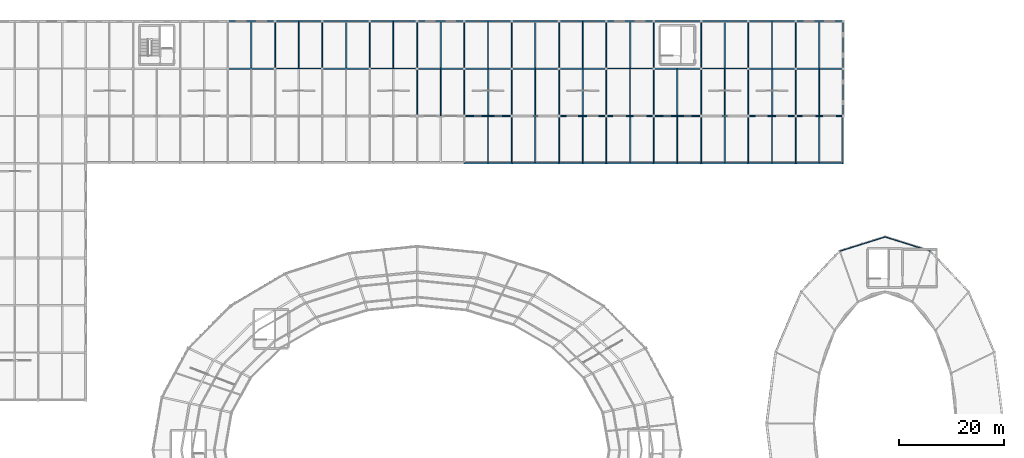
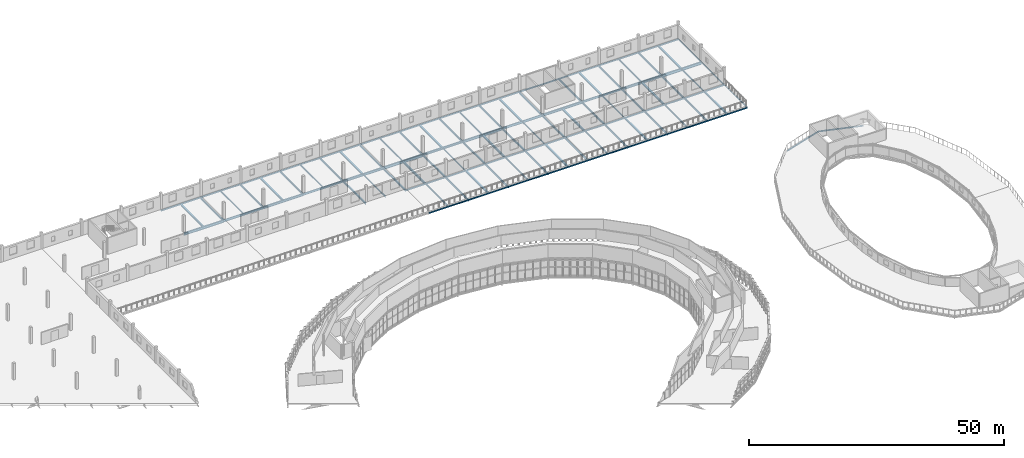
# One storey, part 75 of 123: 104 beams.
"""IFC4 building model written with IfcOpenShell, lengths in metres."""

import ifcopenshell
import ifcopenshell.guid

model = None  # the IFC model being written
_history = None  # IfcOwnerHistory: only IFC2X3 demands one
_inside = {}  # id of a spatial element -> (the spatial element, [elements in it])
_under = {}  # id of a project, library or spatial element -> (it, [spatial elements below it])
_declared = {}  # id of a project -> (the project, [libraries it declares])
_typed = {}  # id of a type object -> (the type object, [elements of that type])
_made_of = {}  # id of a material, layer set ... -> (it, [elements and type objects made of it])


def new_model(schema):
    """Start an empty IFC model of exactly this schema.

    Asked for "IFC4X3", IfcOpenShell would pick the latest addendum, in which some entities
    have other attributes; the version numbers below select the first issue.
    IFC2X3 requires an IfcOwnerHistory on every rooted entity: one is made here for all.
    """
    global model, _history
    if schema == "IFC4X3":
        model = ifcopenshell.file(schema_version=(4, 3, 0, 0))
    else:
        model = ifcopenshell.file(schema=schema)
    _inside.clear()
    _under.clear()
    _declared.clear()
    _typed.clear()
    _made_of.clear()
    _history = None
    if model.schema == "IFC2X3":
        org = make("IfcOrganization", Name="unknown")
        user = make(
            "IfcPersonAndOrganization",
            ThePerson=make("IfcPerson", FamilyName="unknown"),
            TheOrganization=org,
        )
        app = make(
            "IfcApplication",
            ApplicationDeveloper=org,
            Version="unknown",
            ApplicationFullName="unknown",
            ApplicationIdentifier="unknown",
        )
        _history = make(
            "IfcOwnerHistory",
            OwningUser=user,
            OwningApplication=app,
            ChangeAction="ADDED",
            CreationDate=0,
        )
    return model


def make(cls, **values):
    """One entity of the class cls with the attributes given. An attribute that is None is left unset."""
    return model.create_entity(
        cls, **{name: value for name, value in values.items() if value is not None}
    )


def rooted(cls, **values):
    """An entity with a GlobalId (a new one), such as an element, a storey or a relation."""
    return make(cls, GlobalId=ifcopenshell.guid.new(), OwnerHistory=_history, **values)


def si_unit(unit_type, name, prefix=None):
    """IfcSIUnit, for example si_unit("LENGTHUNIT", "METRE", prefix="MILLI")."""
    return make("IfcSIUnit", UnitType=unit_type, Prefix=prefix, Name=name)


def assignment(units):
    """IfcUnitAssignment: the units of a project."""
    return None if units is None else make("IfcUnitAssignment", Units=units)


def point(xyz):
    """IfcCartesianPoint."""
    return None if xyz is None else make("IfcCartesianPoint", Coordinates=xyz)


def direction(xyz):
    """IfcDirection."""
    return None if xyz is None else make("IfcDirection", DirectionRatios=xyz)


def frame(location, z_axis=None, x_axis=None):
    """IfcAxis2Placement3D, a coordinate frame: its origin and axes. An axis left out is left unset."""
    return make(
        "IfcAxis2Placement3D",
        Location=point(location),
        Axis=direction(z_axis),
        RefDirection=direction(x_axis),
    )


def frame_2d(location, x_axis=None):
    """IfcAxis2Placement2D, a coordinate frame in the plane: its origin and x axis."""
    return make(
        "IfcAxis2Placement2D", Location=point(location), RefDirection=direction(x_axis)
    )


def origin():
    """The frame at (0, 0, 0) with its axes left unset."""
    return frame((0.0, 0.0, 0.0))


def origin_2d():
    """The frame at (0, 0) in the plane with its x axis left unset."""
    return frame_2d((0.0, 0.0))


def place(relative_to, where):
    """IfcLocalPlacement: puts the frame where relative to a parent placement (None: the world)."""
    return make(
        "IfcLocalPlacement", PlacementRelTo=relative_to, RelativePlacement=where
    )


def context(
    kind, dimensions, precision=None, world=None, true_north=None, identifier=None
):
    """IfcGeometricRepresentationContext, for example the 3D "Model" context."""
    return make(
        "IfcGeometricRepresentationContext",
        ContextIdentifier=identifier,
        ContextType=kind,
        CoordinateSpaceDimension=dimensions,
        Precision=precision,
        WorldCoordinateSystem=world,
        TrueNorth=true_north,
    )


def subcontext(parent, identifier, kind, view, scale=None):
    """IfcGeometricRepresentationSubContext, for example "Body" below "Model"."""
    return make(
        "IfcGeometricRepresentationSubContext",
        ContextIdentifier=identifier,
        ContextType=kind,
        ParentContext=parent,
        TargetScale=scale,
        TargetView=view,
    )


def project(units=None, contexts=None):
    """IfcProject with its units and contexts."""
    return rooted(
        "IfcProject",
        Name="project",
        RepresentationContexts=contexts,
        UnitsInContext=assignment(units),
    )


def spatial(cls, under=None, at=None, **own):
    """A site, building, storey or space (cls), placed at a placement, below another one or the project."""
    s = rooted(cls, ObjectPlacement=at, **own)
    if under is not None:
        _under.setdefault(under.id(), (under, []))[1].append(s)
    return s


def profile(cls, at=None, kind="AREA", **sizes):
    """A parametric profile (cls). Its sizes go by their IFC names, for example OverallWidth=200.0."""
    return make(cls, ProfileType=kind, Position=at, **sizes)


def hollow_rectangle(**sizes):
    """IfcRectangleHollowProfileDef."""
    return profile("IfcRectangleHollowProfileDef", **sizes)


def i_section(**sizes):
    """IfcIShapeProfileDef."""
    return profile("IfcIShapeProfileDef", **sizes)


def extrude(swept, where, along, depth):
    """IfcExtrudedAreaSolid: the profile swept, set in the frame where, extruded along a direction by depth."""
    return make(
        "IfcExtrudedAreaSolid",
        SweptArea=swept,
        Position=where,
        ExtrudedDirection=direction(along),
        Depth=depth,
    )


def shape(context_of_items, identifier, shape_type, items):
    """IfcShapeRepresentation: the items that make up one representation, for example the "Body"."""
    return make(
        "IfcShapeRepresentation",
        ContextOfItems=context_of_items,
        RepresentationIdentifier=identifier,
        RepresentationType=shape_type,
        Items=items,
    )


def material(Name=None, Category=None):
    """IfcMaterial."""
    return make("IfcMaterial", Name=Name, Category=Category)


def material_profile(
    of_material, cross_section, Name=None, Category=None, Priority=None
):
    """IfcMaterialProfile: a cross section and its material."""
    return make(
        "IfcMaterialProfile",
        Name=Name,
        Material=of_material,
        Profile=cross_section,
        Priority=Priority,
        Category=Category,
    )


def profile_set(profiles, Name=None, composite=None):
    """IfcMaterialProfileSet."""
    return make(
        "IfcMaterialProfileSet",
        Name=Name,
        MaterialProfiles=profiles,
        CompositeProfile=composite,
    )


def made_of(thing, what):
    """Note that an element or type object is made of a material, layer set ...; save() writes the relation."""
    if what is not None:
        _made_of.setdefault(what.id(), (what, []))[1].append(thing)
    return thing


def type_object(cls, material=None, **own):
    """A type object (cls), such as IfcWallType, which elements share."""
    return made_of(rooted(cls, **own), material)


def element(
    cls,
    number,
    at=None,
    inside=None,
    cuts=None,
    type_object=None,
    material=None,
    context=None,
    identifier="Body",
    shape_type=None,
    held_by="IfcProductDefinitionShape",
    body=None,
    shapes=None,
    **own,
):
    """One element of the class cls, such as IfcWall. Its Tag is "e" and its number.

    at: its placement. inside: the storey or other place that contains it. cuts: it is an
    opening in that element (IfcRelVoidsElement). A single representation is given by context,
    identifier, shape_type and body (its items); several are given by shapes. held_by: the class
    of the entity that holds the representations. save() writes the other relations.
    """
    e = rooted(cls, Tag="e%d" % number, ObjectPlacement=at, **own)
    if body is not None:
        shapes = [shape(context, identifier, shape_type, body)]
    if shapes is not None:
        e.Representation = make(held_by, Representations=shapes)
    if inside is not None:
        _inside.setdefault(inside.id(), (inside, []))[1].append(e)
    if cuts is not None:
        rooted(
            "IfcRelVoidsElement", RelatingBuildingElement=cuts, RelatedOpeningElement=e
        )
    if type_object is not None:
        _typed.setdefault(type_object.id(), (type_object, []))[1].append(e)
    return made_of(e, material)


def aggregate(whole, parts):
    """IfcRelAggregates: a whole, such as a stair, and the parts it consists of."""
    return rooted("IfcRelAggregates", RelatingObject=whole, RelatedObjects=parts)


def save(model, path):
    """Write the relations noted so far, then the file.

    IfcRelAggregates (storeys below a building ...), IfcRelContainedInSpatialStructure (elements
    in a storey), IfcRelDefinesByType, IfcRelAssociatesMaterial and IfcRelDeclares: one each for
    every whole, place, type object, material and project.
    """
    for whole, parts in _under.values():
        aggregate(whole, parts)
    for where, things in _inside.values():
        rooted(
            "IfcRelContainedInSpatialStructure",
            RelatedElements=things,
            RelatingStructure=where,
        )
    for kind, things in _typed.values():
        rooted("IfcRelDefinesByType", RelatedObjects=things, RelatingType=kind)
    for what, things in _made_of.values():
        rooted("IfcRelAssociatesMaterial", RelatedObjects=things, RelatingMaterial=what)
    for by, libraries in _declared.values():
        rooted("IfcRelDeclares", RelatingContext=by, RelatedDefinitions=libraries)
    model.write(path)


model = new_model("IFC4")

# Units and contexts
model_context = context("Model", 3, precision=1e-05, world=origin(), true_north=direction((0.0, 1.0)))
body_context = subcontext(model_context, "Body", "Model", "MODEL_VIEW")
ifc_project = project(units=[si_unit("LENGTHUNIT", "METRE"), si_unit("AREAUNIT", "SQUARE_METRE"), si_unit("VOLUMEUNIT", "CUBIC_METRE"), si_unit("PLANEANGLEUNIT", "RADIAN"), si_unit("MASSUNIT", "GRAM", prefix="KILO")], contexts=[model_context])

# Site, building, storey
site_placement = place(None, origin())
site = spatial("IfcSite", under=ifc_project, at=site_placement, CompositionType="ELEMENT")
building_placement = place(site_placement, origin())
building = spatial("IfcBuilding", under=site, at=building_placement, Name="Kildeholm Park Wholesale Market", CompositionType="ELEMENT")
storey_placement = place(building_placement, frame((0.0, 0.0, 9.60009765625)))
storey = spatial("IfcBuildingStorey", under=building, at=storey_placement, Name="L02", CompositionType="ELEMENT", Elevation=9.60009765625)

# Beams
ifc_material = material(Name="Steel S355", Category="steel")
ifc_material_profile_1 = material_profile(ifc_material, i_section(OverallWidth=0.18994140625, OverallDepth=0.449951171875, WebThickness=0.009521484375, FlangeThickness=0.0146484375, FilletRadius=0.02099609375, at=origin_2d()), Name="IPE 450")
ifc_profile_set_1 = profile_set([ifc_material_profile_1], Name="Steel S355")
beam_type_1 = type_object("IfcBeamType", Name="Beam B-P02 IPE 450", PredefinedType="BEAM", material=ifc_profile_set_1)
for number, where, z_axis, x_axis, name in (
    (1, (72.0, 162.0, -0.545166015625), (0.0, 1.0, 0.0), (-1.0, 0.0, 0.0), "Beam BM-V4-L02-Y-072-162 BM-0816"),
    (2, (81.0, 162.0, -0.545166015625), (0.0, 1.0, 0.0), (-1.0, 0.0, 0.0), "Beam BM-V4-L02-Y-081-162 BM-0823"),
    (3, (90.0, 162.0, -0.545166015625), (0.0, 1.0, 0.0), (-1.0, 0.0, 0.0), "Beam BM-V4-L02-Y-090-162 BM-0830"),
    (4, (99.0, 153.0, -0.545166015625), (0.0, 1.0, 0.0), (-1.0, 0.0, 0.0), "Beam BM-V4-L02-Y-099-153 BM-0834"),
    (5, (99.0, 162.0, -0.545166015625), (0.0, 1.0, 0.0), (-1.0, 0.0, 0.0), "Beam BM-V4-L02-Y-099-162 BM-0837"),
    (6, (108.0, 153.0, -0.545166015625), (0.0, 1.0, 0.0), (-1.0, 0.0, 0.0), "Beam BM-V4-L02-Y-108-153 BM-0841"),
    (7, (108.0, 162.0, -0.545166015625), (0.0, 1.0, 0.0), (-1.0, 0.0, 0.0), "Beam BM-V4-L02-Y-108-162 BM-0844"),
    (8, (117.0, 153.0, -0.545166015625), (0.0, 1.0, 0.0), (-1.0, 0.0, 0.0), "Beam BM-V4-L02-Y-117-153 BM-0848"),
    (9, (117.0, 162.0, -0.545166015625), (0.0, 1.0, 0.0), (-1.0, 0.0, 0.0), "Beam BM-V4-L02-Y-117-162 BM-0851"),
    (10, (126.0, 153.0, -0.545166015625), (0.0, 1.0, 0.0), (-1.0, 0.0, 0.0), "Beam BM-V4-L02-Y-126-153 BM-0855"),
    (11, (126.0, 162.0, -0.545166015625), (0.0, 1.0, 0.0), (-1.0, 0.0, 0.0), "Beam BM-V4-L02-Y-126-162 BM-0858"),
    (12, (135.0, 153.0, -0.545166015625), (0.0, 1.0, 0.0), (-1.0, 0.0, 0.0), "Beam BM-V4-L02-Y-135-153 BM-0862"),
    (13, (135.0, 162.0, -0.545166015625), (0.0, 1.0, 0.0), (-1.0, 0.0, 0.0), "Beam BM-V4-L02-Y-135-162 BM-0865"),
    (14, (144.0, 153.0, -0.545166015625), (0.0, 1.0, 0.0), (-1.0, 0.0, 0.0), "Beam BM-V4-L02-Y-144-153 BM-0869"),
    (15, (144.0, 162.0, -0.545166015625), (0.0, 1.0, 0.0), (-1.0, 0.0, 0.0), "Beam BM-V4-L02-Y-144-162 BM-0872"),
    (16, (153.0, 153.0, -0.545166015625), (0.0, 1.0, 0.0), (-1.0, 0.0, 0.0), "Beam BM-V4-L02-Y-153-153 BM-0875"),
    (17, (153.0, 162.0, -0.545166015625), (0.0, 1.0, 0.0), (-1.0, 0.0, 0.0), "Beam BM-V4-L02-Y-153-162 BM-0878"),
    (18, (162.0, 153.0, -0.545166015625), (0.0, 1.0, 0.0), (-1.0, 0.0, 0.0), "Beam BM-V4-L02-Y-162-153 BM-0882"),
    (19, (162.0, 162.0, -0.545166015625), (0.0, 1.0, 0.0), (-1.0, 0.0, 0.0), "Beam BM-V4-L02-Y-162-162 BM-0885"),
    (20, (171.0, 153.0, -0.545166015625), (0.0, 1.0, 0.0), (-1.0, 0.0, 0.0), "Beam BM-V4-L02-Y-171-153 BM-0889"),
    (21, (171.0, 162.0, -0.545166015625), (0.0, 1.0, 0.0), (-1.0, 0.0, 0.0), "Beam BM-V4-L02-Y-171-162 BM-0892"),
    (22, (117.0, 144.0, -0.51513671875), (0.0, 1.0, 0.0), (-1.0, 0.0, 0.0), "Beam BM-V4-L02-Y-117-144 BM-1029"),
    (23, (126.0, 144.0, -0.51513671875), (0.0, 1.0, 0.0), (-1.0, 0.0, 0.0), "Beam BM-V4-L02-Y-126-144 BM-1032"),
    (24, (135.0, 144.0, -0.51513671875), (0.0, 1.0, 0.0), (-1.0, 0.0, 0.0), "Beam BM-V4-L02-Y-135-144 BM-1035"),
    (25, (144.0, 144.0, -0.51513671875), (0.0, 1.0, 0.0), (-1.0, 0.0, 0.0), "Beam BM-V4-L02-Y-144-144 BM-1038"),
    (26, (153.0, 144.0, -0.51513671875), (0.0, 1.0, 0.0), (-1.0, 0.0, 0.0), "Beam BM-V4-L02-Y-153-144 BM-1041"),
    (27, (162.0, 144.0, -0.51513671875), (0.0, 1.0, 0.0), (-1.0, 0.0, 0.0), "Beam BM-V4-L02-Y-162-144 BM-1044"),
    (28, (171.0, 144.0, -0.51513671875), (0.0, 1.0, 0.0), (-1.0, 0.0, 0.0), "Beam BM-V4-L02-Y-171-144 BM-1047"),
):
    element("IfcBeam", number, at=place(storey_placement, frame(where, z_axis=z_axis, x_axis=x_axis)), inside=storey, type_object=beam_type_1, Name=name, PredefinedType="BEAM", context=body_context, shape_type="SweptSolid", body=[
        extrude(i_section(OverallWidth=0.18994140625, OverallDepth=0.449951171875, WebThickness=0.009521484375, FlangeThickness=0.0146484375, FilletRadius=0.02099609375, at=origin_2d()), origin(), (0.0, 0.0, 1.0), 9.0),
    ])
ifc_material_profile_2 = material_profile(ifc_material, i_section(OverallWidth=0.199951171875, OverallDepth=0.5, WebThickness=0.01025390625, FlangeThickness=0.01611328125, FilletRadius=0.02099609375, at=origin_2d()), Name="IPE 500")
ifc_profile_set_2 = profile_set([ifc_material_profile_2], Name="Steel S355")
beam_type_2 = type_object("IfcBeamType", Name="Beam B-P03 IPE 500", PredefinedType="BEAM", material=ifc_profile_set_2)
for number, where, z_axis, x_axis, name in (
    (29, (90.0, 162.0, -0.570068359375), (1.0, 0.0, 0.0), (0.0, 1.0, 0.0), "Beam BM-V4-L02-X-090-162 BM-0829"),
    (30, (153.0, 162.0, -0.570068359375), (1.0, 0.0, 0.0), (0.0, 1.0, 0.0), "Beam BM-V4-L02-X-153-162 BM-0877"),
):
    element("IfcBeam", number, at=place(storey_placement, frame(where, z_axis=z_axis, x_axis=x_axis)), inside=storey, type_object=beam_type_2, Name=name, PredefinedType="BEAM", context=body_context, shape_type="SweptSolid", body=[
        extrude(i_section(OverallWidth=0.199951171875, OverallDepth=0.5, WebThickness=0.01025390625, FlangeThickness=0.01611328125, FilletRadius=0.02099609375, at=origin_2d()), origin(), (0.0, 0.0, 1.0), 9.0),
    ])
ifc_material_profile_3 = material_profile(ifc_material, i_section(OverallWidth=0.2099609375, OverallDepth=0.550048828125, WebThickness=0.010986328125, FlangeThickness=0.01708984375, FilletRadius=0.02392578125, at=origin_2d()), Name="IPE 550")
ifc_profile_set_3 = profile_set([ifc_material_profile_3], Name="Steel S355")
beam_type_3 = type_object("IfcBeamType", Name="Beam B-X01 IPE 550", PredefinedType="BEAM", material=ifc_profile_set_3)
for number, where, z_axis, x_axis, name in (
    (31, (72.0, 162.0, -0.59912109375), (1.0, 0.0, 0.0), (0.0, 1.0, 0.0), "Beam BM-V4-L02-X-072-162 BM-0815"),
    (32, (135.0, 162.0, -0.59912109375), (1.0, 0.0, 0.0), (0.0, 1.0, 0.0), "Beam BM-V4-L02-X-135-162 BM-0864"),
):
    element("IfcBeam", number, at=place(storey_placement, frame(where, z_axis=z_axis, x_axis=x_axis)), inside=storey, type_object=beam_type_3, Name=name, PredefinedType="BEAM", context=body_context, shape_type="SweptSolid", body=[
        extrude(i_section(OverallWidth=0.2099609375, OverallDepth=0.550048828125, WebThickness=0.010986328125, FlangeThickness=0.01708984375, FilletRadius=0.02392578125, at=origin_2d()), origin(), (0.0, 0.0, 1.0), 9.0),
    ])
ifc_material_profile_4 = material_profile(ifc_material, i_section(OverallWidth=0.300048828125, OverallDepth=0.5400390625, WebThickness=0.012451171875, FlangeThickness=0.02392578125, FilletRadius=0.027099609375, at=origin_2d()), Name="HEA 550")
ifc_profile_set_4 = profile_set([ifc_material_profile_4], Name="Steel S355")
beam_type_4 = type_object("IfcBeamType", Name="Beam B-X02 HEA 550", PredefinedType="BEAM", material=ifc_profile_set_4)
for number, where, z_axis, x_axis, name in (
    (33, (81.0, 162.0, -0.590087890625), (1.0, 0.0, 0.0), (0.0, 1.0, 0.0), "Beam BM-V4-L02-X-081-162 BM-0822"),
    (34, (144.0, 162.0, -0.590087890625), (1.0, 0.0, 0.0), (0.0, 1.0, 0.0), "Beam BM-V4-L02-X-144-162 BM-0871"),
):
    element("IfcBeam", number, at=place(storey_placement, frame(where, z_axis=z_axis, x_axis=x_axis)), inside=storey, type_object=beam_type_4, Name=name, PredefinedType="BEAM", context=body_context, shape_type="SweptSolid", body=[
        extrude(i_section(OverallWidth=0.300048828125, OverallDepth=0.5400390625, WebThickness=0.012451171875, FlangeThickness=0.02392578125, FilletRadius=0.027099609375, at=origin_2d()), origin(), (0.0, 0.0, 1.0), 9.0),
    ])
ifc_material_profile_5 = material_profile(ifc_material, i_section(OverallWidth=0.300048828125, OverallDepth=0.550048828125, WebThickness=0.014892578125, FlangeThickness=0.029052734375, FilletRadius=0.027099609375, at=origin_2d()), Name="HEB 550")
ifc_profile_set_5 = profile_set([ifc_material_profile_5], Name="Steel S355")
beam_type_5 = type_object("IfcBeamType", Name="Beam B-X03 HEB 550", PredefinedType="BEAM", material=ifc_profile_set_5)
for number, where, z_axis, x_axis, name in (
    (35, (99.0, 162.0, -0.59912109375), (1.0, 0.0, 0.0), (0.0, 1.0, 0.0), "Beam BM-V4-L02-X-099-162 BM-0836"),
    (36, (162.0, 162.0, -0.59912109375), (1.0, 0.0, 0.0), (0.0, 1.0, 0.0), "Beam BM-V4-L02-X-162-162 BM-0884"),
):
    element("IfcBeam", number, at=place(storey_placement, frame(where, z_axis=z_axis, x_axis=x_axis)), inside=storey, type_object=beam_type_5, Name=name, PredefinedType="BEAM", context=body_context, shape_type="SweptSolid", body=[
        extrude(i_section(OverallWidth=0.300048828125, OverallDepth=0.550048828125, WebThickness=0.014892578125, FlangeThickness=0.029052734375, FilletRadius=0.027099609375, at=origin_2d()), origin(), (0.0, 0.0, 1.0), 9.0),
    ])
ifc_material_profile_6 = material_profile(ifc_material, i_section(OverallWidth=0.300048828125, OverallDepth=0.64990234375, WebThickness=0.01611328125, FlangeThickness=0.031005859375, FilletRadius=0.027099609375, at=origin_2d()), Name="HEB 650")
ifc_profile_set_6 = profile_set([ifc_material_profile_6], Name="Steel S355")
beam_type_6 = type_object("IfcBeamType", Name="Beam B-X04 HEB 650", PredefinedType="BEAM", material=ifc_profile_set_6)
for number, where, z_axis, x_axis, name in (
    (37, (108.0, 162.0, -0.64501953125), (1.0, 0.0, 0.0), (0.0, 1.0, 0.0), "Beam BM-V4-L02-X-108-162 BM-0843"),
    (38, (171.0, 162.0, -0.64501953125), (1.0, 0.0, 0.0), (0.0, 1.0, 0.0), "Beam BM-V4-L02-X-171-162 BM-0891"),
):
    element("IfcBeam", number, at=place(storey_placement, frame(where, z_axis=z_axis, x_axis=x_axis)), inside=storey, type_object=beam_type_6, Name=name, PredefinedType="BEAM", context=body_context, shape_type="SweptSolid", body=[
        extrude(i_section(OverallWidth=0.300048828125, OverallDepth=0.64990234375, WebThickness=0.01611328125, FlangeThickness=0.031005859375, FilletRadius=0.027099609375, at=origin_2d()), origin(), (0.0, 0.0, 1.0), 9.0),
    ])
ifc_material_profile_7 = material_profile(ifc_material, i_section(OverallWidth=0.300048828125, OverallDepth=0.5, WebThickness=0.014404296875, FlangeThickness=0.028076171875, FilletRadius=0.027099609375, at=origin_2d()), Name="HEB 500")
ifc_profile_set_7 = profile_set([ifc_material_profile_7], Name="Steel S355")
beam_type_7 = type_object("IfcBeamType", Name="Beam B-X05 HEB 500", PredefinedType="BEAM", material=ifc_profile_set_7)
beam_placement = place(storey_placement, frame((117.0, 162.0, -0.570068359375), z_axis=(1.0, 0.0, 0.0), x_axis=(0.0, 1.0, 0.0)))
element("IfcBeam", 39, at=beam_placement, inside=storey, type_object=beam_type_7, Name="Beam BM-V4-L02-X-117-162 BM-0850", PredefinedType="BEAM", context=body_context, shape_type="SweptSolid", body=[
    extrude(i_section(OverallWidth=0.300048828125, OverallDepth=0.5, WebThickness=0.014404296875, FlangeThickness=0.028076171875, FilletRadius=0.027099609375, at=origin_2d()), origin(), (0.0, 0.0, 1.0), 9.0),
])
ifc_material_profile_8 = material_profile(ifc_material, i_section(OverallWidth=0.300048828125, OverallDepth=0.60009765625, WebThickness=0.015380859375, FlangeThickness=0.030029296875, FilletRadius=0.027099609375, at=origin_2d()), Name="HEB 600")
ifc_profile_set_8 = profile_set([ifc_material_profile_8], Name="Steel S355")
beam_type_8 = type_object("IfcBeamType", Name="Beam B-X06 HEB 600", PredefinedType="BEAM", material=ifc_profile_set_8)
for number, where, z_axis, x_axis, name in (
    (40, (63.0, 162.0, -0.6240234375), (1.0, 0.0, 0.0), (0.0, 1.0, 0.0), "Beam BM-V4-L02-X-063-162 BM-0808"),
    (41, (126.0, 162.0, -0.6240234375), (1.0, 0.0, 0.0), (0.0, 1.0, 0.0), "Beam BM-V4-L02-X-126-162 BM-0857"),
):
    element("IfcBeam", number, at=place(storey_placement, frame(where, z_axis=z_axis, x_axis=x_axis)), inside=storey, type_object=beam_type_8, Name=name, PredefinedType="BEAM", context=body_context, shape_type="SweptSolid", body=[
        extrude(i_section(OverallWidth=0.300048828125, OverallDepth=0.60009765625, WebThickness=0.015380859375, FlangeThickness=0.030029296875, FilletRadius=0.027099609375, at=origin_2d()), origin(), (0.0, 0.0, 1.0), 9.0),
    ])
ifc_material_profile_9 = material_profile(ifc_material, i_section(OverallWidth=0.159912109375, OverallDepth=0.330078125, WebThickness=0.007568359375, FlangeThickness=0.011474609375, FilletRadius=0.01806640625, at=origin_2d()), Name="IPE 330")
ifc_profile_set_9 = profile_set([ifc_material_profile_9], Name="Steel S355")
beam_type_9 = type_object("IfcBeamType", Name="Beam J-03 IPE 330", PredefinedType="JOIST", material=ifc_profile_set_9)
for number, where, z_axis, x_axis, name in (
    (42, (76.5, 162.0849609375, -0.485107421875), (0.0, 1.0, 0.0), (-1.0, 0.0, 0.0), "Beam JT-V4-L02-072-162 BM-0817"),
    (43, (94.5, 162.0849609375, -0.485107421875), (0.0, 1.0, 0.0), (-1.0, 0.0, 0.0), "Beam JT-V4-L02-090-162 BM-0831"),
    (44, (103.5, 153.0849609375, -0.485107421875), (0.0, 1.0, 0.0), (-1.0, 0.0, 0.0), "Beam JT-V4-L02-099-153 BM-0835"),
    (45, (112.5, 162.0849609375, -0.485107421875), (0.0, 1.0, 0.0), (-1.0, 0.0, 0.0), "Beam JT-V4-L02-108-162 BM-0845"),
    (46, (121.5, 153.0849609375, -0.485107421875), (0.0, 1.0, 0.0), (-1.0, 0.0, 0.0), "Beam JT-V4-L02-117-153 BM-0849"),
    (47, (130.5, 162.0849609375, -0.485107421875), (0.0, 1.0, 0.0), (-1.0, 0.0, 0.0), "Beam JT-V4-L02-126-162 BM-0859"),
    (48, (139.5, 153.0849609375, -0.485107421875), (0.0, 1.0, 0.0), (-1.0, 0.0, 0.0), "Beam JT-V4-L02-135-153 BM-0863"),
    (49, (157.5, 153.0849609375, -0.485107421875), (0.0, 1.0, 0.0), (-1.0, 0.0, 0.0), "Beam JT-V4-L02-153-153 BM-0876"),
    (50, (166.5, 162.0849609375, -0.485107421875), (0.0, 1.0, 0.0), (-1.0, 0.0, 0.0), "Beam JT-V4-L02-162-162 BM-0886"),
    (51, (175.5, 153.0849609375, -0.485107421875), (0.0, 1.0, 0.0), (-1.0, 0.0, 0.0), "Beam JT-V4-L02-171-153 BM-0890"),
    (52, (112.5, 144.0849609375, -0.455078125), (0.0, 1.0, 0.0), (-1.0, 0.0, 0.0), "Beam JT-V4-L02-108-144 BM-1027"),
    (53, (130.5, 144.0849609375, -0.455078125), (0.0, 1.0, 0.0), (-1.0, 0.0, 0.0), "Beam JT-V4-L02-126-144 BM-1033"),
    (54, (148.5, 144.0849609375, -0.455078125), (0.0, 1.0, 0.0), (-1.0, 0.0, 0.0), "Beam JT-V4-L02-144-144 BM-1039"),
    (55, (166.5, 144.0849609375, -0.455078125), (0.0, 1.0, 0.0), (-1.0, 0.0, 0.0), "Beam JT-V4-L02-162-144 BM-1045"),
):
    element("IfcBeam", number, at=place(storey_placement, frame(where, z_axis=z_axis, x_axis=x_axis)), inside=storey, type_object=beam_type_9, Name=name, PredefinedType="JOIST", context=body_context, shape_type="SweptSolid", body=[
        extrude(i_section(OverallWidth=0.159912109375, OverallDepth=0.330078125, WebThickness=0.007568359375, FlangeThickness=0.011474609375, FilletRadius=0.01806640625, at=origin_2d()), origin(), (0.0, 0.0, 1.0), 8.830078125),
    ])
ifc_material_profile_10 = material_profile(ifc_material, i_section(OverallWidth=0.300048828125, OverallDepth=0.389892578125, WebThickness=0.010986328125, FlangeThickness=0.01904296875, FilletRadius=0.027099609375, at=origin_2d()), Name="HEA 400")
ifc_profile_set_10 = profile_set([ifc_material_profile_10], Name="Steel S355")
beam_type_10 = type_object("IfcBeamType", Name="Beam J-06 HEA 400", PredefinedType="JOIST", material=ifc_profile_set_10)
for number, where, z_axis, x_axis, name in (
    (56, (67.5, 162.0849609375, -0.51904296875), (0.0, 1.0, 0.0), (-1.0, 0.0, 0.0), "Beam JT-V4-L02-063-162 BM-0810"),
    (57, (85.5, 162.0849609375, -0.51904296875), (0.0, 1.0, 0.0), (-1.0, 0.0, 0.0), "Beam JT-V4-L02-081-162 BM-0824"),
    (58, (103.5, 162.0849609375, -0.51904296875), (0.0, 1.0, 0.0), (-1.0, 0.0, 0.0), "Beam JT-V4-L02-099-162 BM-0838"),
    (59, (112.5, 153.0849609375, -0.51904296875), (0.0, 1.0, 0.0), (-1.0, 0.0, 0.0), "Beam JT-V4-L02-108-153 BM-0842"),
    (60, (121.5, 162.0849609375, -0.51904296875), (0.0, 1.0, 0.0), (-1.0, 0.0, 0.0), "Beam JT-V4-L02-117-162 BM-0852"),
    (61, (130.5, 153.0849609375, -0.51904296875), (0.0, 1.0, 0.0), (-1.0, 0.0, 0.0), "Beam JT-V4-L02-126-153 BM-0856"),
    (62, (139.5, 162.0849609375, -0.51904296875), (0.0, 1.0, 0.0), (-1.0, 0.0, 0.0), "Beam JT-V4-L02-135-162 BM-0866"),
    (63, (148.5, 153.0849609375, -0.51904296875), (0.0, 1.0, 0.0), (-1.0, 0.0, 0.0), "Beam JT-V4-L02-144-153 BM-0870"),
    (64, (157.5, 162.0849609375, -0.51904296875), (0.0, 1.0, 0.0), (-1.0, 0.0, 0.0), "Beam JT-V4-L02-153-162 BM-0879"),
    (65, (166.5, 153.0849609375, -0.51904296875), (0.0, 1.0, 0.0), (-1.0, 0.0, 0.0), "Beam JT-V4-L02-162-153 BM-0883"),
    (66, (175.5, 162.0849609375, -0.51904296875), (0.0, 1.0, 0.0), (-1.0, 0.0, 0.0), "Beam JT-V4-L02-171-162 BM-0893"),
    (67, (121.5, 144.0849609375, -0.485107421875), (0.0, 1.0, 0.0), (-1.0, 0.0, 0.0), "Beam JT-V4-L02-117-144 BM-1030"),
    (68, (139.5, 144.0849609375, -0.485107421875), (0.0, 1.0, 0.0), (-1.0, 0.0, 0.0), "Beam JT-V4-L02-135-144 BM-1036"),
    (69, (157.5, 144.0849609375, -0.485107421875), (0.0, 1.0, 0.0), (-1.0, 0.0, 0.0), "Beam JT-V4-L02-153-144 BM-1042"),
    (70, (175.5, 144.0849609375, -0.485107421875), (0.0, 1.0, 0.0), (-1.0, 0.0, 0.0), "Beam JT-V4-L02-171-144 BM-1048"),
):
    element("IfcBeam", number, at=place(storey_placement, frame(where, z_axis=z_axis, x_axis=x_axis)), inside=storey, type_object=beam_type_10, Name=name, PredefinedType="JOIST", context=body_context, shape_type="SweptSolid", body=[
        extrude(i_section(OverallWidth=0.300048828125, OverallDepth=0.389892578125, WebThickness=0.010986328125, FlangeThickness=0.01904296875, FilletRadius=0.027099609375, at=origin_2d()), origin(), (0.0, 0.0, 1.0), 8.830078125),
    ])
ifc_material_profile_11 = material_profile(ifc_material, hollow_rectangle(XDim=0.199951171875, YDim=0.300048828125, WallThickness=0.012451171875, InnerFilletRadius=0.012451171875, OuterFilletRadius=0.02490234375, at=origin_2d()), Name="RHS 300x200x12.5")
ifc_profile_set_11 = profile_set([ifc_material_profile_11], Name="Steel S355")
beam_type_11 = type_object("IfcBeamType", Name="Beam SP-01 RHS 300x200x12.5", PredefinedType="SPANDREL", material=ifc_profile_set_11)
for number, where, z_axis, x_axis, name in (
    (71, (196.610107421875, 127.298095703125, -0.440185546875), (-0.954124515816, 0.299410100562, 0.0), (-0.299410100562, -0.954124515816, 0.0), "Beam BM-V2-L02-CO-03 BM-0389"),
    (72, (188.0, 130.0, -0.440185546875), (-0.954124515816, -0.299410100562, 0.0), (0.299410100562, -0.954124515816, 0.0), "Beam BM-V2-L02-CO-04 BM-0394"),
):
    element("IfcBeam", number, at=place(storey_placement, frame(where, z_axis=z_axis, x_axis=x_axis)), inside=storey, type_object=beam_type_11, Name=name, PredefinedType="SPANDREL", context=body_context, shape_type="SweptSolid", body=[
        extrude(hollow_rectangle(XDim=0.199951171875, YDim=0.300048828125, WallThickness=0.012451171875, InnerFilletRadius=0.012451171875, OuterFilletRadius=0.02490234375, at=origin_2d()), origin(), (0.0, 0.0, 1.0), 9.024169921875),
    ])
for number, where, z_axis, x_axis, name in (
    (73, (63.0, 171.0, -0.47412109375), (1.0, 0.0, 0.0), (0.0, 1.0, 0.0), "Beam BM-V4-L02-X-063-171 BM-0811"),
    (74, (72.0, 171.0, -0.47412109375), (1.0, 0.0, 0.0), (0.0, 1.0, 0.0), "Beam BM-V4-L02-X-072-171 BM-0818"),
    (75, (81.0, 171.0, -0.47412109375), (1.0, 0.0, 0.0), (0.0, 1.0, 0.0), "Beam BM-V4-L02-X-081-171 BM-0825"),
    (76, (90.0, 171.0, -0.47412109375), (1.0, 0.0, 0.0), (0.0, 1.0, 0.0), "Beam BM-V4-L02-X-090-171 BM-0832"),
    (77, (99.0, 171.0, -0.47412109375), (1.0, 0.0, 0.0), (0.0, 1.0, 0.0), "Beam BM-V4-L02-X-099-171 BM-0839"),
    (78, (108.0, 153.0, -0.47412109375), (1.0, 0.0, 0.0), (0.0, 1.0, 0.0), "Beam BM-V4-L02-X-108-153 BM-0840"),
    (79, (108.0, 171.0, -0.47412109375), (1.0, 0.0, 0.0), (0.0, 1.0, 0.0), "Beam BM-V4-L02-X-108-171 BM-0846"),
    (80, (117.0, 153.0, -0.47412109375), (1.0, 0.0, 0.0), (0.0, 1.0, 0.0), "Beam BM-V4-L02-X-117-153 BM-0847"),
    (81, (117.0, 171.0, -0.47412109375), (1.0, 0.0, 0.0), (0.0, 1.0, 0.0), "Beam BM-V4-L02-X-117-171 BM-0853"),
    (82, (126.0, 153.0, -0.47412109375), (1.0, 0.0, 0.0), (0.0, 1.0, 0.0), "Beam BM-V4-L02-X-126-153 BM-0854"),
    (83, (126.0, 171.0, -0.47412109375), (1.0, 0.0, 0.0), (0.0, 1.0, 0.0), "Beam BM-V4-L02-X-126-171 BM-0860"),
    (84, (135.0, 153.0, -0.47412109375), (1.0, 0.0, 0.0), (0.0, 1.0, 0.0), "Beam BM-V4-L02-X-135-153 BM-0861"),
    (85, (135.0, 171.0, -0.47412109375), (1.0, 0.0, 0.0), (0.0, 1.0, 0.0), "Beam BM-V4-L02-X-135-171 BM-0867"),
    (86, (144.0, 153.0, -0.47412109375), (1.0, 0.0, 0.0), (0.0, 1.0, 0.0), "Beam BM-V4-L02-X-144-153 BM-0868"),
    (87, (144.0, 171.0, -0.47412109375), (1.0, 0.0, 0.0), (0.0, 1.0, 0.0), "Beam BM-V4-L02-X-144-171 BM-0873"),
    (88, (153.0, 153.0, -0.47412109375), (1.0, 0.0, 0.0), (0.0, 1.0, 0.0), "Beam BM-V4-L02-X-153-153 BM-0874"),
    (89, (153.0, 171.0, -0.47412109375), (1.0, 0.0, 0.0), (0.0, 1.0, 0.0), "Beam BM-V4-L02-X-153-171 BM-0880"),
    (90, (162.0, 153.0, -0.47412109375), (1.0, 0.0, 0.0), (0.0, 1.0, 0.0), "Beam BM-V4-L02-X-162-153 BM-0881"),
    (91, (162.0, 171.0, -0.47412109375), (1.0, 0.0, 0.0), (0.0, 1.0, 0.0), "Beam BM-V4-L02-X-162-171 BM-0887"),
    (92, (171.0, 153.0, -0.47412109375), (1.0, 0.0, 0.0), (0.0, 1.0, 0.0), "Beam BM-V4-L02-X-171-153 BM-0888"),
    (93, (171.0, 171.0, -0.47412109375), (1.0, 0.0, 0.0), (0.0, 1.0, 0.0), "Beam BM-V4-L02-X-171-171 BM-0894"),
    (94, (108.0, 144.0, -0.440185546875), (1.0, 0.0, 0.0), (0.0, 1.0, 0.0), "Beam BM-V4-L02-X-108-144 BM-1025"),
    (95, (117.0, 144.0, -0.440185546875), (1.0, 0.0, 0.0), (0.0, 1.0, 0.0), "Beam BM-V4-L02-X-117-144 BM-1028"),
    (96, (126.0, 144.0, -0.440185546875), (1.0, 0.0, 0.0), (0.0, 1.0, 0.0), "Beam BM-V4-L02-X-126-144 BM-1031"),
    (97, (135.0, 144.0, -0.440185546875), (1.0, 0.0, 0.0), (0.0, 1.0, 0.0), "Beam BM-V4-L02-X-135-144 BM-1034"),
    (98, (144.0, 144.0, -0.440185546875), (1.0, 0.0, 0.0), (0.0, 1.0, 0.0), "Beam BM-V4-L02-X-144-144 BM-1037"),
    (99, (153.0, 144.0, -0.440185546875), (1.0, 0.0, 0.0), (0.0, 1.0, 0.0), "Beam BM-V4-L02-X-153-144 BM-1040"),
    (100, (162.0, 144.0, -0.440185546875), (1.0, 0.0, 0.0), (0.0, 1.0, 0.0), "Beam BM-V4-L02-X-162-144 BM-1043"),
    (101, (171.0, 144.0, -0.440185546875), (1.0, 0.0, 0.0), (0.0, 1.0, 0.0), "Beam BM-V4-L02-X-171-144 BM-1046"),
):
    element("IfcBeam", number, at=place(storey_placement, frame(where, z_axis=z_axis, x_axis=x_axis)), inside=storey, type_object=beam_type_11, Name=name, PredefinedType="SPANDREL", context=body_context, shape_type="SweptSolid", body=[
        extrude(hollow_rectangle(XDim=0.199951171875, YDim=0.300048828125, WallThickness=0.012451171875, InnerFilletRadius=0.012451171875, OuterFilletRadius=0.02490234375, at=origin_2d()), origin(), (0.0, 0.0, 1.0), 9.0),
    ])
ifc_material_profile_12 = material_profile(ifc_material, hollow_rectangle(XDim=0.14990234375, YDim=0.25, WallThickness=0.010009765625, InnerFilletRadius=0.010009765625, OuterFilletRadius=0.02001953125, at=origin_2d()), Name="RHS 250x150x10")
ifc_profile_set_12 = profile_set([ifc_material_profile_12], Name="Steel S355")
beam_type_12 = type_object("IfcBeamType", Name="Beam SP-02 RHS 250x150x10", PredefinedType="SPANDREL", material=ifc_profile_set_12)
for number, where, z_axis, x_axis, name in (
    (102, (180.0, 153.0, -0.445068359375), (0.0, 1.0, 0.0), (-1.0, 0.0, 0.0), "Beam BM-V4-L02-Y-180-153 BM-0895"),
    (103, (180.0, 162.0, -0.445068359375), (0.0, 1.0, 0.0), (-1.0, 0.0, 0.0), "Beam BM-V4-L02-Y-180-162 BM-0896"),
    (104, (180.0, 144.0, -0.4150390625), (0.0, 1.0, 0.0), (-1.0, 0.0, 0.0), "Beam BM-V4-L02-Y-180-144 BM-1049"),
):
    element("IfcBeam", number, at=place(storey_placement, frame(where, z_axis=z_axis, x_axis=x_axis)), inside=storey, type_object=beam_type_12, Name=name, PredefinedType="SPANDREL", context=body_context, shape_type="SweptSolid", body=[
        extrude(hollow_rectangle(XDim=0.14990234375, YDim=0.25, WallThickness=0.010009765625, InnerFilletRadius=0.010009765625, OuterFilletRadius=0.02001953125, at=origin_2d()), origin(), (0.0, 0.0, 1.0), 9.0),
    ])

save(model, "model.ifc")
